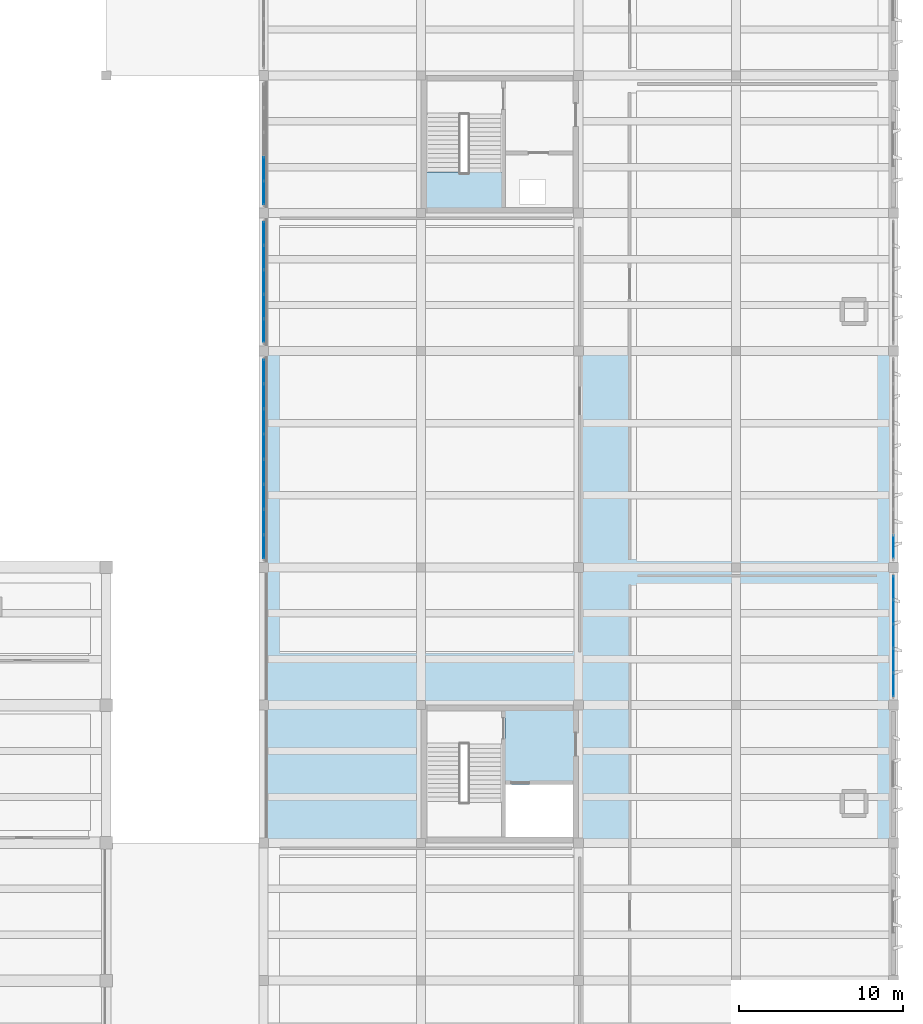
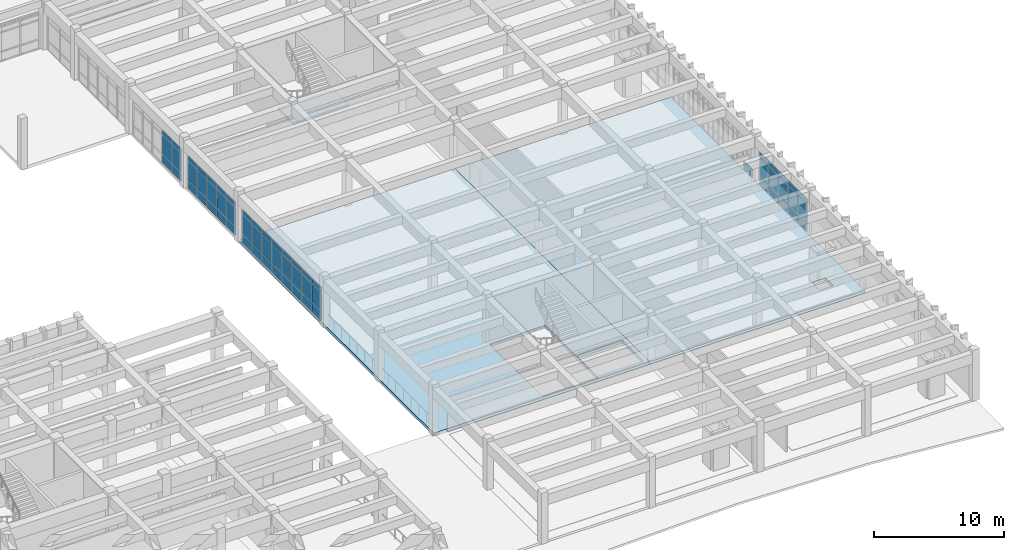
# One storey, part 55 of 86: 61 plates, 3 slabs, 6 elements without a shape of their own.
"""IFC4 building model written with IfcOpenShell, lengths in metres."""

from ifc_helpers import new_model, si_unit, direction, frame, origin, origin_2d, place, context, subcontext, project, spatial, polyline, rectangle, outline, extrude, material, layer, layer_set, type_object, element, aggregate, save


model = new_model("IFC4")

# Units and contexts
model_context = context("Model", 3, precision=1e-05, world=origin(), true_north=direction((0.0, 1.0)))
body_context = subcontext(model_context, "Body", "Model", "MODEL_VIEW")
ifc_project = project(units=[si_unit("LENGTHUNIT", "METRE"), si_unit("AREAUNIT", "SQUARE_METRE"), si_unit("VOLUMEUNIT", "CUBIC_METRE"), si_unit("PLANEANGLEUNIT", "RADIAN"), si_unit("MASSUNIT", "GRAM", prefix="KILO")], contexts=[model_context])

# Site, building, storey
site_placement = place(None, origin())
site = spatial("IfcSite", under=ifc_project, at=site_placement, CompositionType="ELEMENT")
building_placement = place(site_placement, origin())
building = spatial("IfcBuilding", under=site, at=building_placement, Name="Kolvemor Railside Polytechnic", CompositionType="ELEMENT")
storey_placement = place(building_placement, frame((0.0, 0.0, 5.39990234375)))
storey = spatial("IfcBuildingStorey", under=building, at=storey_placement, Name="L01", CompositionType="ELEMENT", Elevation=5.39990234375)

# Curtain wall, plates
ifc_material_1 = material(Name="Anodised marine aluminium and laminated low-E glass", Category="aluminium")
ifc_layer_1 = layer(ifc_material_1, 0.179931640625, Name="CW-UNIT-STD")
ifc_layer_set_1 = layer_set([ifc_layer_1], Name="Anodised marine aluminium and laminated low-E glass")
curtain_wall_type = type_object("IfcCurtainWallType", Name="CW-UNIT-STD", PredefinedType="USERDEFINED", material=ifc_layer_set_1)
curtain_wall_1_placement = place(storey_placement, origin())
curtain_wall_1 = element("IfcCurtainWall", 1, at=curtain_wall_1_placement, inside=storey, type_object=curtain_wall_type, Name="Curtain Wall L01-050", ObjectType="UNITISED CURTAIN WALL", PredefinedType="USERDEFINED")
ifc_material_2 = material(Name="Hurricane-laminated solar-control low-E glass", Category="glass")
ifc_layer_2 = layer(ifc_material_2, 0.0400390625, Name="CWP-GLZ-10")
ifc_layer_set_2 = layer_set([ifc_layer_2], Name="Hurricane-laminated solar-control low-E glass")
plate_type_1 = type_object("IfcPlateType", Name="CWP-GLZ-10", PredefinedType="CURTAIN_PANEL", material=ifc_layer_set_2)
plate_1_placement = place(storey_placement, frame((182.39990234375, 31.23486328125, 0.074951171875), z_axis=(0.0, 0.0, 1.0), x_axis=(0.0, 1.0, 0.0)))
plate_1 = element("IfcPlate", 2, at=plate_1_placement, type_object=plate_type_1, Name="CW-STD panel 1.1", PredefinedType="CURTAIN_PANEL", context=body_context, shape_type="SweptSolid", body=[
    extrude(rectangle(XDim=1.37939453125, YDim=0.0400390625, at=origin_2d()), origin(), (0.0, 0.0, 1.0), 0.78759765625),
])
plate_2_placement = place(storey_placement, frame((182.39990234375, 31.23486328125, 0.937744140625), z_axis=(0.0, 0.0, 1.0), x_axis=(0.0, 1.0, 0.0)))
plate_2 = element("IfcPlate", 3, at=plate_2_placement, type_object=plate_type_1, Name="CW-STD panel 1.2", PredefinedType="CURTAIN_PANEL", context=body_context, shape_type="SweptSolid", body=[
    extrude(rectangle(XDim=1.37939453125, YDim=0.0400390625, at=origin_2d()), origin(), (0.0, 0.0, 1.0), 1.7548828125),
])
plate_3_placement = place(storey_placement, frame((182.39990234375, 31.23486328125, 2.767578125), z_axis=(0.0, 0.0, 1.0), x_axis=(0.0, 1.0, 0.0)))
plate_3 = element("IfcPlate", 4, at=plate_3_placement, type_object=plate_type_1, Name="CW-STD panel 1.3", PredefinedType="CURTAIN_PANEL", context=body_context, shape_type="SweptSolid", body=[
    extrude(rectangle(XDim=1.37939453125, YDim=0.0400390625, at=origin_2d()), origin(), (0.0, 0.0, 1.0), 0.4375),
])
plate_4_placement = place(storey_placement, frame((182.39990234375, 32.7080078125, 0.074951171875), z_axis=(0.0, 0.0, 1.0), x_axis=(0.0, 1.0, 0.0)))
plate_4 = element("IfcPlate", 5, at=plate_4_placement, type_object=plate_type_1, Name="CW-STD panel 2.1", PredefinedType="CURTAIN_PANEL", context=body_context, shape_type="SweptSolid", body=[
    extrude(rectangle(XDim=1.4169921875, YDim=0.0400390625, at=origin_2d()), origin(), (0.0, 0.0, 1.0), 0.78759765625),
])
plate_5_placement = place(storey_placement, frame((182.39990234375, 32.7080078125, 0.937744140625), z_axis=(0.0, 0.0, 1.0), x_axis=(0.0, 1.0, 0.0)))
plate_5 = element("IfcPlate", 6, at=plate_5_placement, type_object=plate_type_1, Name="CW-STD panel 2.2", PredefinedType="CURTAIN_PANEL", context=body_context, shape_type="SweptSolid", body=[
    extrude(rectangle(XDim=1.4169921875, YDim=0.0400390625, at=origin_2d()), origin(), (0.0, 0.0, 1.0), 1.7548828125),
])
plate_6_placement = place(storey_placement, frame((182.39990234375, 32.7080078125, 2.767578125), z_axis=(0.0, 0.0, 1.0), x_axis=(0.0, 1.0, 0.0)))
plate_6 = element("IfcPlate", 7, at=plate_6_placement, type_object=plate_type_1, Name="CW-STD panel 2.3", PredefinedType="CURTAIN_PANEL", context=body_context, shape_type="SweptSolid", body=[
    extrude(rectangle(XDim=1.4169921875, YDim=0.0400390625, at=origin_2d()), origin(), (0.0, 0.0, 1.0), 0.4375),
])
plate_7_placement = place(storey_placement, frame((182.39990234375, 34.199951171875, 0.074951171875), z_axis=(0.0, 0.0, 1.0), x_axis=(0.0, 1.0, 0.0)))
plate_7 = element("IfcPlate", 8, at=plate_7_placement, type_object=plate_type_1, Name="CW-STD panel 3.1", PredefinedType="CURTAIN_PANEL", context=body_context, shape_type="SweptSolid", body=[
    extrude(rectangle(XDim=1.4169921875, YDim=0.0400390625, at=origin_2d()), origin(), (0.0, 0.0, 1.0), 0.78759765625),
])
plate_8_placement = place(storey_placement, frame((182.39990234375, 34.199951171875, 0.937744140625), z_axis=(0.0, 0.0, 1.0), x_axis=(0.0, 1.0, 0.0)))
plate_8 = element("IfcPlate", 9, at=plate_8_placement, type_object=plate_type_1, Name="CW-STD panel 3.2", PredefinedType="CURTAIN_PANEL", context=body_context, shape_type="SweptSolid", body=[
    extrude(rectangle(XDim=1.4169921875, YDim=0.0400390625, at=origin_2d()), origin(), (0.0, 0.0, 1.0), 1.7548828125),
])
plate_9_placement = place(storey_placement, frame((182.39990234375, 34.199951171875, 2.767578125), z_axis=(0.0, 0.0, 1.0), x_axis=(0.0, 1.0, 0.0)))
plate_9 = element("IfcPlate", 10, at=plate_9_placement, type_object=plate_type_1, Name="CW-STD panel 3.3", PredefinedType="CURTAIN_PANEL", context=body_context, shape_type="SweptSolid", body=[
    extrude(rectangle(XDim=1.4169921875, YDim=0.0400390625, at=origin_2d()), origin(), (0.0, 0.0, 1.0), 0.4375),
])
plate_10_placement = place(storey_placement, frame((182.39990234375, 35.69189453125, 0.074951171875), z_axis=(0.0, 0.0, 1.0), x_axis=(0.0, 1.0, 0.0)))
plate_10 = element("IfcPlate", 11, at=plate_10_placement, type_object=plate_type_1, Name="CW-STD panel 4.1", PredefinedType="CURTAIN_PANEL", context=body_context, shape_type="SweptSolid", body=[
    extrude(rectangle(XDim=1.4169921875, YDim=0.0400390625, at=origin_2d()), origin(), (0.0, 0.0, 1.0), 0.78759765625),
])
plate_11_placement = place(storey_placement, frame((182.39990234375, 35.69189453125, 0.937744140625), z_axis=(0.0, 0.0, 1.0), x_axis=(0.0, 1.0, 0.0)))
plate_11 = element("IfcPlate", 12, at=plate_11_placement, type_object=plate_type_1, Name="CW-STD panel 4.2", PredefinedType="CURTAIN_PANEL", context=body_context, shape_type="SweptSolid", body=[
    extrude(rectangle(XDim=1.4169921875, YDim=0.0400390625, at=origin_2d()), origin(), (0.0, 0.0, 1.0), 1.7548828125),
])
plate_12_placement = place(storey_placement, frame((182.39990234375, 35.69189453125, 2.767578125), z_axis=(0.0, 0.0, 1.0), x_axis=(0.0, 1.0, 0.0)))
plate_12 = element("IfcPlate", 13, at=plate_12_placement, type_object=plate_type_1, Name="CW-STD panel 4.3", PredefinedType="CURTAIN_PANEL", context=body_context, shape_type="SweptSolid", body=[
    extrude(rectangle(XDim=1.4169921875, YDim=0.0400390625, at=origin_2d()), origin(), (0.0, 0.0, 1.0), 0.4375),
])
plate_13_placement = place(storey_placement, frame((182.39990234375, 37.165283203125, 0.074951171875), z_axis=(0.0, 0.0, 1.0), x_axis=(0.0, 1.0, 0.0)))
plate_13 = element("IfcPlate", 14, at=plate_13_placement, type_object=plate_type_1, Name="CW-STD panel 5.1", PredefinedType="CURTAIN_PANEL", context=body_context, shape_type="SweptSolid", body=[
    extrude(rectangle(XDim=1.37939453125, YDim=0.0400390625, at=origin_2d()), origin(), (0.0, 0.0, 1.0), 0.78759765625),
])
plate_14_placement = place(storey_placement, frame((182.39990234375, 37.165283203125, 0.937744140625), z_axis=(0.0, 0.0, 1.0), x_axis=(0.0, 1.0, 0.0)))
plate_14 = element("IfcPlate", 15, at=plate_14_placement, type_object=plate_type_1, Name="CW-STD panel 5.2", PredefinedType="CURTAIN_PANEL", context=body_context, shape_type="SweptSolid", body=[
    extrude(rectangle(XDim=1.37939453125, YDim=0.0400390625, at=origin_2d()), origin(), (0.0, 0.0, 1.0), 1.7548828125),
])
plate_15_placement = place(storey_placement, frame((182.39990234375, 37.165283203125, 2.767578125), z_axis=(0.0, 0.0, 1.0), x_axis=(0.0, 1.0, 0.0)))
plate_15 = element("IfcPlate", 16, at=plate_15_placement, type_object=plate_type_1, Name="CW-STD panel 5.3", PredefinedType="CURTAIN_PANEL", context=body_context, shape_type="SweptSolid", body=[
    extrude(rectangle(XDim=1.37939453125, YDim=0.0400390625, at=origin_2d()), origin(), (0.0, 0.0, 1.0), 0.4375),
])
aggregate(curtain_wall_1, [plate_1, plate_2, plate_3, plate_4, plate_5, plate_6, plate_7, plate_8, plate_9, plate_10, plate_11, plate_12, plate_13, plate_14, plate_15])

# Curtain wall, plate
curtain_wall_2_placement = place(storey_placement, origin())
curtain_wall_2 = element("IfcCurtainWall", 17, at=curtain_wall_2_placement, inside=storey, type_object=curtain_wall_type, Name="Curtain Wall L01-061", ObjectType="UNITISED CURTAIN WALL", PredefinedType="USERDEFINED")
ifc_material_3 = material(Name="Hurricane-laminated solar-control low-E glass", Category="glass")
ifc_layer_3 = layer(ifc_material_3, 0.0419921875, Name="CWP-GLZ-11")
ifc_layer_set_3 = layer_set([ifc_layer_3], Name="Hurricane-laminated solar-control low-E glass")
plate_type_2 = type_object("IfcPlateType", Name="CWP-GLZ-11", PredefinedType="CURTAIN_PANEL", material=ifc_layer_set_3)
plate_16_placement = place(storey_placement, frame((182.39990234375, 39.655029296875, 0.074951171875), z_axis=(0.0, 0.0, 1.0), x_axis=(0.0, 1.0, 0.0)))
plate_16 = element("IfcPlate", 18, at=plate_16_placement, type_object=plate_type_2, Name="CW-STD panel 1.1", PredefinedType="CURTAIN_PANEL", context=body_context, shape_type="SweptSolid", body=[
    extrude(rectangle(XDim=1.419921875, YDim=0.0419921875, at=origin_2d()), origin(), (0.0, 0.0, 1.0), 0.78759765625),
])
aggregate(curtain_wall_2, [plate_16])

# Curtain wall, plates
curtain_wall_3_placement = place(storey_placement, origin())
curtain_wall_3 = element("IfcCurtainWall", 19, at=curtain_wall_3_placement, inside=storey, type_object=curtain_wall_type, Name="Curtain Wall L01-062", ObjectType="UNITISED CURTAIN WALL", PredefinedType="USERDEFINED")
ifc_material_4 = material(Name="Hurricane-laminated solar-control low-E glass", Category="glass")
ifc_layer_4 = layer(ifc_material_4, 0.0458984375, Name="CWP-GLZ-13")
ifc_layer_set_4 = layer_set([ifc_layer_4], Name="Hurricane-laminated solar-control low-E glass")
plate_type_3 = type_object("IfcPlateType", Name="CWP-GLZ-13", PredefinedType="CURTAIN_PANEL", material=ifc_layer_set_4)
plate_17_placement = place(storey_placement, frame((144.0, 50.344970703125, 0.074951171875), z_axis=(0.0, 0.0, 1.0), x_axis=(0.0, -1.0, 0.0)))
plate_17 = element("IfcPlate", 20, at=plate_17_placement, type_object=plate_type_3, Name="CW-STD panel 1.1", PredefinedType="CURTAIN_PANEL", context=body_context, shape_type="SweptSolid", body=[
    extrude(rectangle(XDim=1.419921875, YDim=0.0458984375, at=origin_2d()), origin(), (0.0, 0.0, 1.0), 0.78759765625),
])
plate_18_placement = place(storey_placement, frame((144.0, 50.344970703125, 0.937744140625), z_axis=(0.0, 0.0, 1.0), x_axis=(0.0, -1.0, 0.0)))
plate_18 = element("IfcPlate", 21, at=plate_18_placement, type_object=plate_type_3, Name="CW-STD panel 1.2", PredefinedType="CURTAIN_PANEL", context=body_context, shape_type="SweptSolid", body=[
    extrude(rectangle(XDim=1.419921875, YDim=0.0458984375, at=origin_2d()), origin(), (0.0, 0.0, 1.0), 1.7548828125),
])
plate_19_placement = place(storey_placement, frame((144.0, 50.344970703125, 2.767578125), z_axis=(0.0, 0.0, 1.0), x_axis=(0.0, -1.0, 0.0)))
plate_19 = element("IfcPlate", 22, at=plate_19_placement, type_object=plate_type_3, Name="CW-STD panel 1.3", PredefinedType="CURTAIN_PANEL", context=body_context, shape_type="SweptSolid", body=[
    extrude(rectangle(XDim=1.419921875, YDim=0.0458984375, at=origin_2d()), origin(), (0.0, 0.0, 1.0), 0.4375),
])
plate_20_placement = place(storey_placement, frame((144.0, 48.831298828125, 0.074951171875), z_axis=(0.0, 0.0, 1.0), x_axis=(0.0, -1.0, 0.0)))
plate_20 = element("IfcPlate", 23, at=plate_20_placement, type_object=plate_type_3, Name="CW-STD panel 2.1", PredefinedType="CURTAIN_PANEL", context=body_context, shape_type="SweptSolid", body=[
    extrude(rectangle(XDim=1.45751953125, YDim=0.0458984375, at=origin_2d()), origin(), (0.0, 0.0, 1.0), 0.78759765625),
])
plate_21_placement = place(storey_placement, frame((144.0, 48.831298828125, 0.937744140625), z_axis=(0.0, 0.0, 1.0), x_axis=(0.0, -1.0, 0.0)))
plate_21 = element("IfcPlate", 24, at=plate_21_placement, type_object=plate_type_3, Name="CW-STD panel 2.2", PredefinedType="CURTAIN_PANEL", context=body_context, shape_type="SweptSolid", body=[
    extrude(rectangle(XDim=1.45751953125, YDim=0.0458984375, at=origin_2d()), origin(), (0.0, 0.0, 1.0), 1.7548828125),
])
plate_22_placement = place(storey_placement, frame((144.0, 48.831298828125, 2.767578125), z_axis=(0.0, 0.0, 1.0), x_axis=(0.0, -1.0, 0.0)))
plate_22 = element("IfcPlate", 25, at=plate_22_placement, type_object=plate_type_3, Name="CW-STD panel 2.3", PredefinedType="CURTAIN_PANEL", context=body_context, shape_type="SweptSolid", body=[
    extrude(rectangle(XDim=1.45751953125, YDim=0.0458984375, at=origin_2d()), origin(), (0.0, 0.0, 1.0), 0.4375),
])
plate_23_placement = place(storey_placement, frame((144.0, 47.298828125, 0.074951171875), z_axis=(0.0, 0.0, 1.0), x_axis=(0.0, -1.0, 0.0)))
plate_23 = element("IfcPlate", 26, at=plate_23_placement, type_object=plate_type_3, Name="CW-STD panel 3.1", PredefinedType="CURTAIN_PANEL", context=body_context, shape_type="SweptSolid", body=[
    extrude(rectangle(XDim=1.45751953125, YDim=0.0458984375, at=origin_2d()), origin(), (0.0, 0.0, 1.0), 0.78759765625),
])
plate_24_placement = place(storey_placement, frame((144.0, 47.298828125, 0.937744140625), z_axis=(0.0, 0.0, 1.0), x_axis=(0.0, -1.0, 0.0)))
plate_24 = element("IfcPlate", 27, at=plate_24_placement, type_object=plate_type_3, Name="CW-STD panel 3.2", PredefinedType="CURTAIN_PANEL", context=body_context, shape_type="SweptSolid", body=[
    extrude(rectangle(XDim=1.45751953125, YDim=0.0458984375, at=origin_2d()), origin(), (0.0, 0.0, 1.0), 1.7548828125),
])
plate_25_placement = place(storey_placement, frame((144.0, 47.298828125, 2.767578125), z_axis=(0.0, 0.0, 1.0), x_axis=(0.0, -1.0, 0.0)))
plate_25 = element("IfcPlate", 28, at=plate_25_placement, type_object=plate_type_3, Name="CW-STD panel 3.3", PredefinedType="CURTAIN_PANEL", context=body_context, shape_type="SweptSolid", body=[
    extrude(rectangle(XDim=1.45751953125, YDim=0.0458984375, at=origin_2d()), origin(), (0.0, 0.0, 1.0), 0.4375),
])
plate_26_placement = place(storey_placement, frame((144.0, 45.766357421875, 0.074951171875), z_axis=(0.0, 0.0, 1.0), x_axis=(0.0, -1.0, 0.0)))
plate_26 = element("IfcPlate", 29, at=plate_26_placement, type_object=plate_type_3, Name="CW-STD panel 4.1", PredefinedType="CURTAIN_PANEL", context=body_context, shape_type="SweptSolid", body=[
    extrude(rectangle(XDim=1.45751953125, YDim=0.0458984375, at=origin_2d()), origin(), (0.0, 0.0, 1.0), 0.78759765625),
])
plate_27_placement = place(storey_placement, frame((144.0, 45.766357421875, 0.937744140625), z_axis=(0.0, 0.0, 1.0), x_axis=(0.0, -1.0, 0.0)))
plate_27 = element("IfcPlate", 30, at=plate_27_placement, type_object=plate_type_3, Name="CW-STD panel 4.2", PredefinedType="CURTAIN_PANEL", context=body_context, shape_type="SweptSolid", body=[
    extrude(rectangle(XDim=1.45751953125, YDim=0.0458984375, at=origin_2d()), origin(), (0.0, 0.0, 1.0), 1.7548828125),
])
plate_28_placement = place(storey_placement, frame((144.0, 45.766357421875, 2.767578125), z_axis=(0.0, 0.0, 1.0), x_axis=(0.0, -1.0, 0.0)))
plate_28 = element("IfcPlate", 31, at=plate_28_placement, type_object=plate_type_3, Name="CW-STD panel 4.3", PredefinedType="CURTAIN_PANEL", context=body_context, shape_type="SweptSolid", body=[
    extrude(rectangle(XDim=1.45751953125, YDim=0.0458984375, at=origin_2d()), origin(), (0.0, 0.0, 1.0), 0.4375),
])
plate_29_placement = place(storey_placement, frame((144.0, 44.233642578125, 0.074951171875), z_axis=(0.0, 0.0, 1.0), x_axis=(0.0, -1.0, 0.0)))
plate_29 = element("IfcPlate", 32, at=plate_29_placement, type_object=plate_type_3, Name="CW-STD panel 5.1", PredefinedType="CURTAIN_PANEL", context=body_context, shape_type="SweptSolid", body=[
    extrude(rectangle(XDim=1.45751953125, YDim=0.0458984375, at=origin_2d()), origin(), (0.0, 0.0, 1.0), 0.78759765625),
])
plate_30_placement = place(storey_placement, frame((144.0, 44.233642578125, 0.937744140625), z_axis=(0.0, 0.0, 1.0), x_axis=(0.0, -1.0, 0.0)))
plate_30 = element("IfcPlate", 33, at=plate_30_placement, type_object=plate_type_3, Name="CW-STD panel 5.2", PredefinedType="CURTAIN_PANEL", context=body_context, shape_type="SweptSolid", body=[
    extrude(rectangle(XDim=1.45751953125, YDim=0.0458984375, at=origin_2d()), origin(), (0.0, 0.0, 1.0), 1.7548828125),
])
plate_31_placement = place(storey_placement, frame((144.0, 44.233642578125, 2.767578125), z_axis=(0.0, 0.0, 1.0), x_axis=(0.0, -1.0, 0.0)))
plate_31 = element("IfcPlate", 34, at=plate_31_placement, type_object=plate_type_3, Name="CW-STD panel 5.3", PredefinedType="CURTAIN_PANEL", context=body_context, shape_type="SweptSolid", body=[
    extrude(rectangle(XDim=1.45751953125, YDim=0.0458984375, at=origin_2d()), origin(), (0.0, 0.0, 1.0), 0.4375),
])
plate_32_placement = place(storey_placement, frame((144.0, 42.701171875, 0.074951171875), z_axis=(0.0, 0.0, 1.0), x_axis=(0.0, -1.0, 0.0)))
plate_32 = element("IfcPlate", 35, at=plate_32_placement, type_object=plate_type_3, Name="CW-STD panel 6.1", PredefinedType="CURTAIN_PANEL", context=body_context, shape_type="SweptSolid", body=[
    extrude(rectangle(XDim=1.45751953125, YDim=0.0458984375, at=origin_2d()), origin(), (0.0, 0.0, 1.0), 0.78759765625),
])
plate_33_placement = place(storey_placement, frame((144.0, 42.701171875, 0.937744140625), z_axis=(0.0, 0.0, 1.0), x_axis=(0.0, -1.0, 0.0)))
plate_33 = element("IfcPlate", 36, at=plate_33_placement, type_object=plate_type_3, Name="CW-STD panel 6.2", PredefinedType="CURTAIN_PANEL", context=body_context, shape_type="SweptSolid", body=[
    extrude(rectangle(XDim=1.45751953125, YDim=0.0458984375, at=origin_2d()), origin(), (0.0, 0.0, 1.0), 1.7548828125),
])
plate_34_placement = place(storey_placement, frame((144.0, 42.701171875, 2.767578125), z_axis=(0.0, 0.0, 1.0), x_axis=(0.0, -1.0, 0.0)))
plate_34 = element("IfcPlate", 37, at=plate_34_placement, type_object=plate_type_3, Name="CW-STD panel 6.3", PredefinedType="CURTAIN_PANEL", context=body_context, shape_type="SweptSolid", body=[
    extrude(rectangle(XDim=1.45751953125, YDim=0.0458984375, at=origin_2d()), origin(), (0.0, 0.0, 1.0), 0.4375),
])
plate_35_placement = place(storey_placement, frame((144.0, 41.168701171875, 0.074951171875), z_axis=(0.0, 0.0, 1.0), x_axis=(0.0, -1.0, 0.0)))
plate_35 = element("IfcPlate", 38, at=plate_35_placement, type_object=plate_type_3, Name="CW-STD panel 7.1", PredefinedType="CURTAIN_PANEL", context=body_context, shape_type="SweptSolid", body=[
    extrude(rectangle(XDim=1.45751953125, YDim=0.0458984375, at=origin_2d()), origin(), (0.0, 0.0, 1.0), 0.78759765625),
])
plate_36_placement = place(storey_placement, frame((144.0, 41.168701171875, 0.937744140625), z_axis=(0.0, 0.0, 1.0), x_axis=(0.0, -1.0, 0.0)))
plate_36 = element("IfcPlate", 39, at=plate_36_placement, type_object=plate_type_3, Name="CW-STD panel 7.2", PredefinedType="CURTAIN_PANEL", context=body_context, shape_type="SweptSolid", body=[
    extrude(rectangle(XDim=1.45751953125, YDim=0.0458984375, at=origin_2d()), origin(), (0.0, 0.0, 1.0), 1.7548828125),
])
plate_37_placement = place(storey_placement, frame((144.0, 41.168701171875, 2.767578125), z_axis=(0.0, 0.0, 1.0), x_axis=(0.0, -1.0, 0.0)))
plate_37 = element("IfcPlate", 40, at=plate_37_placement, type_object=plate_type_3, Name="CW-STD panel 7.3", PredefinedType="CURTAIN_PANEL", context=body_context, shape_type="SweptSolid", body=[
    extrude(rectangle(XDim=1.45751953125, YDim=0.0458984375, at=origin_2d()), origin(), (0.0, 0.0, 1.0), 0.4375),
])
plate_38_placement = place(storey_placement, frame((144.0, 39.655029296875, 0.074951171875), z_axis=(0.0, 0.0, 1.0), x_axis=(0.0, -1.0, 0.0)))
plate_38 = element("IfcPlate", 41, at=plate_38_placement, type_object=plate_type_3, Name="CW-STD panel 8.1", PredefinedType="CURTAIN_PANEL", context=body_context, shape_type="SweptSolid", body=[
    extrude(rectangle(XDim=1.419921875, YDim=0.0458984375, at=origin_2d()), origin(), (0.0, 0.0, 1.0), 0.78759765625),
])
plate_39_placement = place(storey_placement, frame((144.0, 39.655029296875, 0.937744140625), z_axis=(0.0, 0.0, 1.0), x_axis=(0.0, -1.0, 0.0)))
plate_39 = element("IfcPlate", 42, at=plate_39_placement, type_object=plate_type_3, Name="CW-STD panel 8.2", PredefinedType="CURTAIN_PANEL", context=body_context, shape_type="SweptSolid", body=[
    extrude(rectangle(XDim=1.419921875, YDim=0.0458984375, at=origin_2d()), origin(), (0.0, 0.0, 1.0), 1.7548828125),
])
plate_40_placement = place(storey_placement, frame((144.0, 39.655029296875, 2.767578125), z_axis=(0.0, 0.0, 1.0), x_axis=(0.0, -1.0, 0.0)))
plate_40 = element("IfcPlate", 43, at=plate_40_placement, type_object=plate_type_3, Name="CW-STD panel 8.3", PredefinedType="CURTAIN_PANEL", context=body_context, shape_type="SweptSolid", body=[
    extrude(rectangle(XDim=1.419921875, YDim=0.0458984375, at=origin_2d()), origin(), (0.0, 0.0, 1.0), 0.4375),
])
aggregate(curtain_wall_3, [plate_17, plate_18, plate_19, plate_20, plate_21, plate_22, plate_23, plate_24, plate_25, plate_26, plate_27, plate_28, plate_29, plate_30, plate_31, plate_32, plate_33, plate_34, plate_35, plate_36, plate_37, plate_38, plate_39, plate_40])

curtain_wall_4_placement = place(storey_placement, origin())
curtain_wall_4 = element("IfcCurtainWall", 44, at=curtain_wall_4_placement, inside=storey, type_object=curtain_wall_type, Name="Curtain Wall L01-072", ObjectType="UNITISED CURTAIN WALL", PredefinedType="USERDEFINED")
ifc_material_5 = material(Name="Hurricane-laminated solar-control low-E glass", Category="glass")
ifc_layer_5 = layer(ifc_material_5, 0.048095703125, Name="CWP-GLZ-14")
ifc_layer_set_5 = layer_set([ifc_layer_5], Name="Hurricane-laminated solar-control low-E glass")
plate_type_4 = type_object("IfcPlateType", Name="CWP-GLZ-14", PredefinedType="CURTAIN_PANEL", material=ifc_layer_set_5)
plate_41_placement = place(storey_placement, frame((144.0, 58.76513671875, 0.074951171875), z_axis=(0.0, 0.0, 1.0), x_axis=(0.0, -1.0, 0.0)))
plate_41 = element("IfcPlate", 45, at=plate_41_placement, type_object=plate_type_4, Name="CW-STD panel 1.1", PredefinedType="CURTAIN_PANEL", context=body_context, shape_type="SweptSolid", body=[
    extrude(rectangle(XDim=1.37939453125, YDim=0.048095703125, at=origin_2d()), origin(), (0.0, 0.0, 1.0), 0.78759765625),
])
plate_42_placement = place(storey_placement, frame((144.0, 58.76513671875, 0.937744140625), z_axis=(0.0, 0.0, 1.0), x_axis=(0.0, -1.0, 0.0)))
plate_42 = element("IfcPlate", 46, at=plate_42_placement, type_object=plate_type_4, Name="CW-STD panel 1.2", PredefinedType="CURTAIN_PANEL", context=body_context, shape_type="SweptSolid", body=[
    extrude(rectangle(XDim=1.37939453125, YDim=0.048095703125, at=origin_2d()), origin(), (0.0, 0.0, 1.0), 1.7548828125),
])
plate_43_placement = place(storey_placement, frame((144.0, 58.76513671875, 2.767578125), z_axis=(0.0, 0.0, 1.0), x_axis=(0.0, -1.0, 0.0)))
plate_43 = element("IfcPlate", 47, at=plate_43_placement, type_object=plate_type_4, Name="CW-STD panel 1.3", PredefinedType="CURTAIN_PANEL", context=body_context, shape_type="SweptSolid", body=[
    extrude(rectangle(XDim=1.37939453125, YDim=0.048095703125, at=origin_2d()), origin(), (0.0, 0.0, 1.0), 0.4375),
])
plate_44_placement = place(storey_placement, frame((144.0, 57.2919921875, 0.074951171875), z_axis=(0.0, 0.0, 1.0), x_axis=(0.0, -1.0, 0.0)))
plate_44 = element("IfcPlate", 48, at=plate_44_placement, type_object=plate_type_4, Name="CW-STD panel 2.1", PredefinedType="CURTAIN_PANEL", context=body_context, shape_type="SweptSolid", body=[
    extrude(rectangle(XDim=1.4169921875, YDim=0.048095703125, at=origin_2d()), origin(), (0.0, 0.0, 1.0), 0.78759765625),
])
plate_45_placement = place(storey_placement, frame((144.0, 57.2919921875, 0.937744140625), z_axis=(0.0, 0.0, 1.0), x_axis=(0.0, -1.0, 0.0)))
plate_45 = element("IfcPlate", 49, at=plate_45_placement, type_object=plate_type_4, Name="CW-STD panel 2.2", PredefinedType="CURTAIN_PANEL", context=body_context, shape_type="SweptSolid", body=[
    extrude(rectangle(XDim=1.4169921875, YDim=0.048095703125, at=origin_2d()), origin(), (0.0, 0.0, 1.0), 1.7548828125),
])
plate_46_placement = place(storey_placement, frame((144.0, 57.2919921875, 2.767578125), z_axis=(0.0, 0.0, 1.0), x_axis=(0.0, -1.0, 0.0)))
plate_46 = element("IfcPlate", 50, at=plate_46_placement, type_object=plate_type_4, Name="CW-STD panel 2.3", PredefinedType="CURTAIN_PANEL", context=body_context, shape_type="SweptSolid", body=[
    extrude(rectangle(XDim=1.4169921875, YDim=0.048095703125, at=origin_2d()), origin(), (0.0, 0.0, 1.0), 0.4375),
])
plate_47_placement = place(storey_placement, frame((144.0, 55.800048828125, 0.074951171875), z_axis=(0.0, 0.0, 1.0), x_axis=(0.0, -1.0, 0.0)))
plate_47 = element("IfcPlate", 51, at=plate_47_placement, type_object=plate_type_4, Name="CW-STD panel 3.1", PredefinedType="CURTAIN_PANEL", context=body_context, shape_type="SweptSolid", body=[
    extrude(rectangle(XDim=1.4169921875, YDim=0.048095703125, at=origin_2d()), origin(), (0.0, 0.0, 1.0), 0.78759765625),
])
plate_48_placement = place(storey_placement, frame((144.0, 55.800048828125, 0.937744140625), z_axis=(0.0, 0.0, 1.0), x_axis=(0.0, -1.0, 0.0)))
plate_48 = element("IfcPlate", 52, at=plate_48_placement, type_object=plate_type_4, Name="CW-STD panel 3.2", PredefinedType="CURTAIN_PANEL", context=body_context, shape_type="SweptSolid", body=[
    extrude(rectangle(XDim=1.4169921875, YDim=0.048095703125, at=origin_2d()), origin(), (0.0, 0.0, 1.0), 1.7548828125),
])
plate_49_placement = place(storey_placement, frame((144.0, 55.800048828125, 2.767578125), z_axis=(0.0, 0.0, 1.0), x_axis=(0.0, -1.0, 0.0)))
plate_49 = element("IfcPlate", 53, at=plate_49_placement, type_object=plate_type_4, Name="CW-STD panel 3.3", PredefinedType="CURTAIN_PANEL", context=body_context, shape_type="SweptSolid", body=[
    extrude(rectangle(XDim=1.4169921875, YDim=0.048095703125, at=origin_2d()), origin(), (0.0, 0.0, 1.0), 0.4375),
])
plate_50_placement = place(storey_placement, frame((144.0, 54.30810546875, 0.074951171875), z_axis=(0.0, 0.0, 1.0), x_axis=(0.0, -1.0, 0.0)))
plate_50 = element("IfcPlate", 54, at=plate_50_placement, type_object=plate_type_4, Name="CW-STD panel 4.1", PredefinedType="CURTAIN_PANEL", context=body_context, shape_type="SweptSolid", body=[
    extrude(rectangle(XDim=1.4169921875, YDim=0.048095703125, at=origin_2d()), origin(), (0.0, 0.0, 1.0), 0.78759765625),
])
plate_51_placement = place(storey_placement, frame((144.0, 54.30810546875, 0.937744140625), z_axis=(0.0, 0.0, 1.0), x_axis=(0.0, -1.0, 0.0)))
plate_51 = element("IfcPlate", 55, at=plate_51_placement, type_object=plate_type_4, Name="CW-STD panel 4.2", PredefinedType="CURTAIN_PANEL", context=body_context, shape_type="SweptSolid", body=[
    extrude(rectangle(XDim=1.4169921875, YDim=0.048095703125, at=origin_2d()), origin(), (0.0, 0.0, 1.0), 1.7548828125),
])
plate_52_placement = place(storey_placement, frame((144.0, 54.30810546875, 2.767578125), z_axis=(0.0, 0.0, 1.0), x_axis=(0.0, -1.0, 0.0)))
plate_52 = element("IfcPlate", 56, at=plate_52_placement, type_object=plate_type_4, Name="CW-STD panel 4.3", PredefinedType="CURTAIN_PANEL", context=body_context, shape_type="SweptSolid", body=[
    extrude(rectangle(XDim=1.4169921875, YDim=0.048095703125, at=origin_2d()), origin(), (0.0, 0.0, 1.0), 0.4375),
])
plate_53_placement = place(storey_placement, frame((144.0, 52.834716796875, 0.074951171875), z_axis=(0.0, 0.0, 1.0), x_axis=(0.0, -1.0, 0.0)))
plate_53 = element("IfcPlate", 57, at=plate_53_placement, type_object=plate_type_4, Name="CW-STD panel 5.1", PredefinedType="CURTAIN_PANEL", context=body_context, shape_type="SweptSolid", body=[
    extrude(rectangle(XDim=1.37939453125, YDim=0.048095703125, at=origin_2d()), origin(), (0.0, 0.0, 1.0), 0.78759765625),
])
plate_54_placement = place(storey_placement, frame((144.0, 52.834716796875, 0.937744140625), z_axis=(0.0, 0.0, 1.0), x_axis=(0.0, -1.0, 0.0)))
plate_54 = element("IfcPlate", 58, at=plate_54_placement, type_object=plate_type_4, Name="CW-STD panel 5.2", PredefinedType="CURTAIN_PANEL", context=body_context, shape_type="SweptSolid", body=[
    extrude(rectangle(XDim=1.37939453125, YDim=0.048095703125, at=origin_2d()), origin(), (0.0, 0.0, 1.0), 1.7548828125),
])
plate_55_placement = place(storey_placement, frame((144.0, 52.834716796875, 2.767578125), z_axis=(0.0, 0.0, 1.0), x_axis=(0.0, -1.0, 0.0)))
plate_55 = element("IfcPlate", 59, at=plate_55_placement, type_object=plate_type_4, Name="CW-STD panel 5.3", PredefinedType="CURTAIN_PANEL", context=body_context, shape_type="SweptSolid", body=[
    extrude(rectangle(XDim=1.37939453125, YDim=0.048095703125, at=origin_2d()), origin(), (0.0, 0.0, 1.0), 0.4375),
])
aggregate(curtain_wall_4, [plate_41, plate_42, plate_43, plate_44, plate_45, plate_46, plate_47, plate_48, plate_49, plate_50, plate_51, plate_52, plate_53, plate_54, plate_55])

curtain_wall_5_placement = place(storey_placement, origin())
curtain_wall_5 = element("IfcCurtainWall", 60, at=curtain_wall_5_placement, inside=storey, type_object=curtain_wall_type, Name="Curtain Wall L01-080", ObjectType="UNITISED CURTAIN WALL", PredefinedType="USERDEFINED")
ifc_material_6 = material(Name="Hurricane-laminated solar-control low-E glass", Category="glass")
ifc_layer_6 = layer(ifc_material_6, 0.050048828125, Name="CWP-GLZ-15")
ifc_layer_set_6 = layer_set([ifc_layer_6], Name="Hurricane-laminated solar-control low-E glass")
plate_type_5 = type_object("IfcPlateType", Name="CWP-GLZ-15", PredefinedType="CURTAIN_PANEL", material=ifc_layer_set_6)
plate_56_placement = place(storey_placement, frame((144.0, 62.7080078125, 0.074951171875), z_axis=(0.0, 0.0, 1.0), x_axis=(0.0, -1.0, 0.0)))
plate_56 = element("IfcPlate", 61, at=plate_56_placement, type_object=plate_type_5, Name="CW-STD panel 4.1", PredefinedType="CURTAIN_PANEL", context=body_context, shape_type="SweptSolid", body=[
    extrude(rectangle(XDim=1.4169921875, YDim=0.050048828125, at=origin_2d()), origin(), (0.0, 0.0, 1.0), 0.78759765625),
])
plate_57_placement = place(storey_placement, frame((144.0, 62.7080078125, 0.937744140625), z_axis=(0.0, 0.0, 1.0), x_axis=(0.0, -1.0, 0.0)))
plate_57 = element("IfcPlate", 62, at=plate_57_placement, type_object=plate_type_5, Name="CW-STD panel 4.2", PredefinedType="CURTAIN_PANEL", context=body_context, shape_type="SweptSolid", body=[
    extrude(rectangle(XDim=1.4169921875, YDim=0.050048828125, at=origin_2d()), origin(), (0.0, 0.0, 1.0), 1.7548828125),
])
plate_58_placement = place(storey_placement, frame((144.0, 62.7080078125, 2.767578125), z_axis=(0.0, 0.0, 1.0), x_axis=(0.0, -1.0, 0.0)))
plate_58 = element("IfcPlate", 63, at=plate_58_placement, type_object=plate_type_5, Name="CW-STD panel 4.3", PredefinedType="CURTAIN_PANEL", context=body_context, shape_type="SweptSolid", body=[
    extrude(rectangle(XDim=1.4169921875, YDim=0.050048828125, at=origin_2d()), origin(), (0.0, 0.0, 1.0), 0.4375),
])
plate_59_placement = place(storey_placement, frame((144.0, 61.23486328125, 0.074951171875), z_axis=(0.0, 0.0, 1.0), x_axis=(0.0, -1.0, 0.0)))
plate_59 = element("IfcPlate", 64, at=plate_59_placement, type_object=plate_type_5, Name="CW-STD panel 5.1", PredefinedType="CURTAIN_PANEL", context=body_context, shape_type="SweptSolid", body=[
    extrude(rectangle(XDim=1.37939453125, YDim=0.050048828125, at=origin_2d()), origin(), (0.0, 0.0, 1.0), 0.78759765625),
])
plate_60_placement = place(storey_placement, frame((144.0, 61.23486328125, 0.937744140625), z_axis=(0.0, 0.0, 1.0), x_axis=(0.0, -1.0, 0.0)))
plate_60 = element("IfcPlate", 65, at=plate_60_placement, type_object=plate_type_5, Name="CW-STD panel 5.2", PredefinedType="CURTAIN_PANEL", context=body_context, shape_type="SweptSolid", body=[
    extrude(rectangle(XDim=1.37939453125, YDim=0.050048828125, at=origin_2d()), origin(), (0.0, 0.0, 1.0), 1.7548828125),
])
plate_61_placement = place(storey_placement, frame((144.0, 61.23486328125, 2.767578125), z_axis=(0.0, 0.0, 1.0), x_axis=(0.0, -1.0, 0.0)))
plate_61 = element("IfcPlate", 66, at=plate_61_placement, type_object=plate_type_5, Name="CW-STD panel 5.3", PredefinedType="CURTAIN_PANEL", context=body_context, shape_type="SweptSolid", body=[
    extrude(rectangle(XDim=1.37939453125, YDim=0.050048828125, at=origin_2d()), origin(), (0.0, 0.0, 1.0), 0.4375),
])
aggregate(curtain_wall_5, [plate_56, plate_57, plate_58, plate_59, plate_60, plate_61])

# Stair, slab
ifc_material_7 = material(Name="Concrete C40/50", Category="concrete")
stair_type = type_object("IfcStairType", Name="STR-CORE-480", PredefinedType="HALF_TURN_STAIR", material=ifc_material_7)
stair_placement = place(storey_placement, origin())
stair = element("IfcStair", 67, at=stair_placement, inside=storey, type_object=stair_type, Name="Core Stair ST-7 (L01 to L02)", PredefinedType="HALF_TURN_STAIR")
ifc_material_8 = material(Name="Concrete C40/50", Category="concrete")
ifc_layer_7 = layer(ifc_material_8, 0.199951171875, Name="SLB-LND-200")
ifc_layer_set_7 = layer_set([ifc_layer_7], Name="Concrete C40/50")
slab_type_1 = type_object("IfcSlabType", Name="SLB-LND-200", PredefinedType="LANDING", material=ifc_layer_set_7)
slab_1_placement = place(storey_placement, frame((0.0, 0.0, 2.2001953125)))
slab_1 = element("IfcSlab", 68, at=slab_1_placement, type_object=slab_type_1, Name="ST-7-L01 landing 1", PredefinedType="LANDING", context=body_context, shape_type="SweptSolid", body=[
    extrude(outline(polyline([(153.75, 60.14990234375), (158.699951171875, 60.14990234375), (158.699951171875, 62.52490234375), (153.75, 62.52490234375), (153.75, 60.14990234375)])), origin(), (0.0, 0.0, 1.0), 0.199951171875),
])
aggregate(stair, [slab_1])

# Slabs
ifc_material_9 = material(Name="Concrete C40/50", Category="concrete")
ifc_layer_8 = layer(ifc_material_9, 0.280029296875, Name="SLB-POD-L01")
ifc_layer_set_8 = layer_set([ifc_layer_8], Name="Concrete C40/50")
slab_type_2 = type_object("IfcSlabType", Name="SLB-POD-L01", PredefinedType="FLOOR", material=ifc_layer_set_8)
slab_2_placement = place(storey_placement, frame((0.0, 0.0, -0.27978515625)))
element("IfcSlab", 69, at=slab_2_placement, inside=storey, type_object=slab_type_2, Name="Union Wing L01 Slab L01-55", PredefinedType="FLOOR", context=body_context, shape_type="SweptSolid", body=[
    extrude(outline(polyline([(144.0, 21.60009765625), (163.199951171875, 21.60009765625), (163.199951171875, 51.60009765625), (144.0, 51.60009765625), (144.0, 21.60009765625)]), holes=[polyline([(153.739990234375, 21.739990234375), (158.7099609375, 21.739990234375), (158.7099609375, 29.860107421875), (153.739990234375, 29.860107421875), (153.739990234375, 21.739990234375)]), polyline([(158.75, 21.949951171875), (162.85009765625, 21.949951171875), (162.85009765625, 25.14990234375), (158.75, 25.14990234375), (158.75, 21.949951171875)])]), origin(), (0.0, 0.0, 1.0), 0.27978515625),
])
slab_3_placement = place(storey_placement, frame((0.0, 0.0, -0.27978515625)))
element("IfcSlab", 70, at=slab_3_placement, inside=storey, type_object=slab_type_2, Name="Union Wing L01 Slab L01-58", PredefinedType="FLOOR", context=body_context, shape_type="SweptSolid", body=[
    extrude(outline(polyline([(163.199951171875, 21.60009765625), (182.39990234375, 21.60009765625), (182.39990234375, 51.60009765625), (163.199951171875, 51.60009765625), (163.199951171875, 21.60009765625)]), holes=[polyline([(179.39990234375, 23.39990234375), (180.60009765625, 23.39990234375), (180.60009765625, 24.60009765625), (179.39990234375, 24.60009765625), (179.39990234375, 23.39990234375)])]), origin(), (0.0, 0.0, 1.0), 0.27978515625),
])

save(model, "model.ifc")
